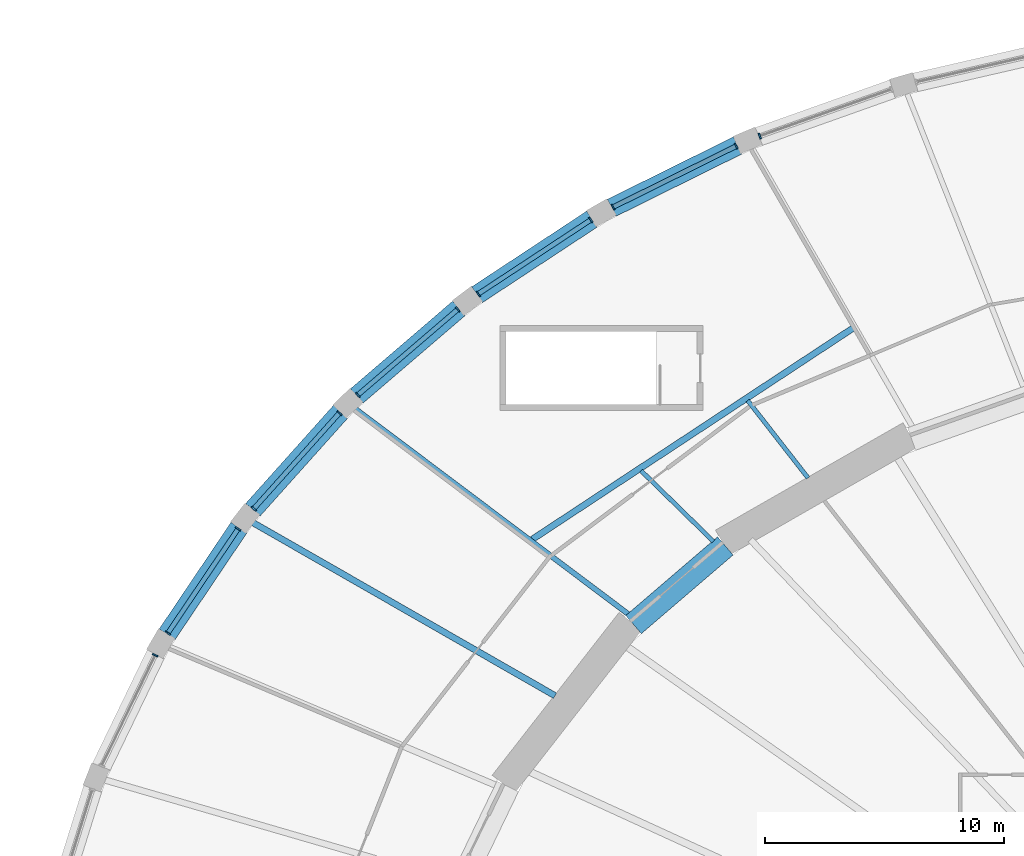
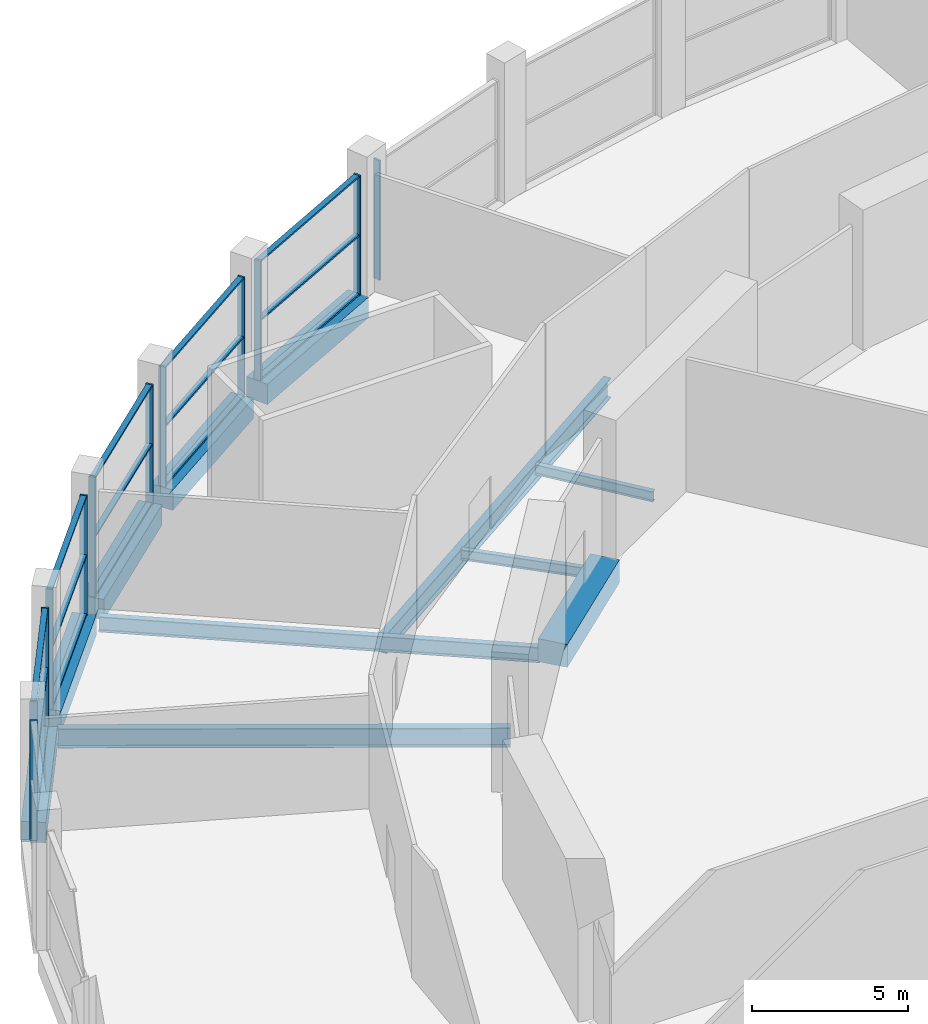
# One storey, part 12 of 26: 27 members, 11 beams, 7 elements without a shape of their own.
"""IFC4 building model written with IfcOpenShell, lengths in metres."""

from ifc_helpers import new_model, si_unit, direction, frame, origin, origin_2d, place, context, subcontext, project, spatial, rectangle, i_section, extrude, material, material_profile, profile_set, type_object, element, aggregate, save


model = new_model("IFC4")

# Units and contexts
model_context = context("Model", 3, precision=1e-05, world=origin(), true_north=direction((0.0, 1.0)))
body_context = subcontext(model_context, "Body", "Model", "MODEL_VIEW")
ifc_project = project(units=[si_unit("LENGTHUNIT", "METRE"), si_unit("AREAUNIT", "SQUARE_METRE"), si_unit("VOLUMEUNIT", "CUBIC_METRE"), si_unit("PLANEANGLEUNIT", "RADIAN"), si_unit("MASSUNIT", "GRAM", prefix="KILO")], contexts=[model_context])

# Site, building, storey
site_placement = place(None, origin())
site = spatial("IfcSite", under=ifc_project, at=site_placement, CompositionType="ELEMENT")
building_placement = place(site_placement, origin())
building = spatial("IfcBuilding", under=site, at=building_placement, Name="Halqa Exchange Tower", CompositionType="ELEMENT")
storey_placement = place(building_placement, frame((0.0, 0.0, 18.0)))
storey = spatial("IfcBuildingStorey", under=building, at=storey_placement, Name="L03", CompositionType="ELEMENT", Elevation=18.0)

# Curtain wall, member
ifc_material_1 = material(Name="Anodised aluminium and clear glass", Category="aluminium")
curtain_wall_type = type_object("IfcCurtainWallType", Name="Exchange hall glazing", PredefinedType="NOTDEFINED", material=ifc_material_1)
curtain_wall_1_placement = place(storey_placement, origin())
curtain_wall_1 = element("IfcCurtainWall", 1, at=curtain_wall_1_placement, inside=storey, type_object=curtain_wall_type, Name="Exchange hall glazing run P15", PredefinedType="NOTDEFINED")
ifc_material_2 = material(Name="Anodised aluminium", Category="aluminium")
ifc_material_profile_1 = material_profile(ifc_material_2, rectangle(XDim=0.25, YDim=0.070068359375, at=origin_2d()), Name="AL 70x250")
ifc_profile_set_1 = profile_set([ifc_material_profile_1], Name="Anodised aluminium")
member_type_1 = type_object("IfcMemberType", Name="Exchange hall glazing mullion 70 x 250", PredefinedType="MULLION", material=ifc_profile_set_1)
member_1_placement = place(storey_placement, frame((-23.37939453125, 41.7041015625, 0.0), z_axis=(0.0, 0.0, 1.0), x_axis=(0.334688348326, -0.942328875444, 0.0)))
member_1 = element("IfcMember", 2, at=member_1_placement, type_object=member_type_1, Name="P15 mullion 2", PredefinedType="MULLION", context=body_context, shape_type="SweptSolid", body=[
    extrude(rectangle(XDim=0.25, YDim=0.070068359375, at=origin_2d()), origin(), (0.0, 0.0, 1.0), 4.699951171875),
])
aggregate(curtain_wall_1, [member_1])

# Curtain wall, members
curtain_wall_2_placement = place(storey_placement, origin())
curtain_wall_2 = element("IfcCurtainWall", 3, at=curtain_wall_2_placement, inside=storey, type_object=curtain_wall_type, Name="Exchange hall glazing run P16", PredefinedType="NOTDEFINED")
member_2_placement = place(storey_placement, frame((-24.363037109375, 41.287841796875, 0.0), z_axis=(0.0, 0.0, 1.0), x_axis=(0.443653417058, -0.896198440934, 0.0)))
member_2 = element("IfcMember", 4, at=member_2_placement, type_object=member_type_1, Name="P16 mullion 1", PredefinedType="MULLION", context=body_context, shape_type="SweptSolid", body=[
    extrude(rectangle(XDim=0.25, YDim=0.070068359375, at=origin_2d()), origin(), (0.0, 0.0, 1.0), 4.699951171875),
])
member_3_placement = place(storey_placement, frame((-29.521240234375, 38.734375, 0.0), z_axis=(0.0, 0.0, 1.0), x_axis=(0.443653417058, -0.896198440934, 0.0)))
member_3 = element("IfcMember", 5, at=member_3_placement, type_object=member_type_1, Name="P16 mullion 2", PredefinedType="MULLION", context=body_context, shape_type="SweptSolid", body=[
    extrude(rectangle(XDim=0.25, YDim=0.070068359375, at=origin_2d()), origin(), (0.0, 0.0, 1.0), 4.699951171875),
])

curtain_wall_3_placement = place(storey_placement, origin())
curtain_wall_3 = element("IfcCurtainWall", 6, at=curtain_wall_3_placement, inside=storey, type_object=curtain_wall_type, Name="Exchange hall glazing run P17", PredefinedType="NOTDEFINED")
member_4_placement = place(storey_placement, frame((-30.44775390625, 38.202880859375, 0.0), z_axis=(0.0, 0.0, 1.0), x_axis=(0.549620040919, -0.835414753652, 0.0)))
member_4 = element("IfcMember", 7, at=member_4_placement, type_object=member_type_1, Name="P17 mullion 1", PredefinedType="MULLION", context=body_context, shape_type="SweptSolid", body=[
    extrude(rectangle(XDim=0.25, YDim=0.070068359375, at=origin_2d()), origin(), (0.0, 0.0, 1.0), 4.699951171875),
])
member_5_placement = place(storey_placement, frame((-35.15771484375, 35.104248046875, 0.0), z_axis=(0.0, 0.0, 1.0), x_axis=(0.549620040919, -0.835414753652, 0.0)))
member_5 = element("IfcMember", 8, at=member_5_placement, type_object=member_type_1, Name="P17 mullion 2", PredefinedType="MULLION", context=body_context, shape_type="SweptSolid", body=[
    extrude(rectangle(XDim=0.25, YDim=0.070068359375, at=origin_2d()), origin(), (0.0, 0.0, 1.0), 4.699951171875),
])

curtain_wall_4_placement = place(storey_placement, origin())
curtain_wall_4 = element("IfcCurtainWall", 9, at=curtain_wall_4_placement, inside=storey, type_object=curtain_wall_type, Name="Exchange hall glazing run P18", PredefinedType="NOTDEFINED")
member_6_placement = place(storey_placement, frame((-36.010986328125, 34.4619140625, 0.0), z_axis=(0.0, 0.0, 1.0), x_axis=(0.650910929175, -0.759154109704, 0.0)))
member_6 = element("IfcMember", 10, at=member_6_placement, type_object=member_type_1, Name="P18 mullion 1", PredefinedType="MULLION", context=body_context, shape_type="SweptSolid", body=[
    extrude(rectangle(XDim=0.25, YDim=0.070068359375, at=origin_2d()), origin(), (0.0, 0.0, 1.0), 4.699951171875),
])
member_7_placement = place(storey_placement, frame((-40.193115234375, 30.8759765625, 0.0), z_axis=(0.0, 0.0, 1.0), x_axis=(0.650910929175, -0.759154109704, 0.0)))
member_7 = element("IfcMember", 11, at=member_7_placement, type_object=member_type_1, Name="P18 mullion 2", PredefinedType="MULLION", context=body_context, shape_type="SweptSolid", body=[
    extrude(rectangle(XDim=0.25, YDim=0.070068359375, at=origin_2d()), origin(), (0.0, 0.0, 1.0), 4.699951171875),
])

curtain_wall_5_placement = place(storey_placement, origin())
curtain_wall_5 = element("IfcCurtainWall", 12, at=curtain_wall_5_placement, inside=storey, type_object=curtain_wall_type, Name="Exchange hall glazing run P19", PredefinedType="NOTDEFINED")
member_8_placement = place(storey_placement, frame((-40.9560546875, 30.12890625, 0.0), z_axis=(0.0, 0.0, 1.0), x_axis=(0.74514769466, -0.666899477539, 0.0)))
member_8 = element("IfcMember", 13, at=member_8_placement, type_object=member_type_1, Name="P19 mullion 1", PredefinedType="MULLION", context=body_context, shape_type="SweptSolid", body=[
    extrude(rectangle(XDim=0.25, YDim=0.070068359375, at=origin_2d()), origin(), (0.0, 0.0, 1.0), 4.699951171875),
])
member_9_placement = place(storey_placement, frame((-44.542724609375, 26.12158203125, 0.0), z_axis=(0.0, 0.0, 1.0), x_axis=(0.74514769466, -0.666899477539, 0.0)))
member_9 = element("IfcMember", 14, at=member_9_placement, type_object=member_type_1, Name="P19 mullion 2", PredefinedType="MULLION", context=body_context, shape_type="SweptSolid", body=[
    extrude(rectangle(XDim=0.25, YDim=0.070068359375, at=origin_2d()), origin(), (0.0, 0.0, 1.0), 4.699951171875),
])

curtain_wall_6_placement = place(storey_placement, origin())
curtain_wall_6 = element("IfcCurtainWall", 15, at=curtain_wall_6_placement, inside=storey, type_object=curtain_wall_type, Name="Exchange hall glazing run P20", PredefinedType="NOTDEFINED")
member_10_placement = place(storey_placement, frame((-45.1982421875, 25.279052734375, 0.0), z_axis=(0.0, 0.0, 1.0), x_axis=(0.8294895023, -0.55852230535, 0.0)))
member_10 = element("IfcMember", 16, at=member_10_placement, type_object=member_type_1, Name="P20 mullion 1", PredefinedType="MULLION", context=body_context, shape_type="SweptSolid", body=[
    extrude(rectangle(XDim=0.25, YDim=0.070068359375, at=origin_2d()), origin(), (0.0, 0.0, 1.0), 4.699951171875),
])
member_11_placement = place(storey_placement, frame((-48.13232421875, 20.921630859375, 0.0), z_axis=(0.0, 0.0, 1.0), x_axis=(0.8294895023, -0.55852230535, 0.0)))
member_11 = element("IfcMember", 17, at=member_11_placement, type_object=member_type_1, Name="P20 mullion 2", PredefinedType="MULLION", context=body_context, shape_type="SweptSolid", body=[
    extrude(rectangle(XDim=0.25, YDim=0.070068359375, at=origin_2d()), origin(), (0.0, 0.0, 1.0), 4.699951171875),
])

# Curtain wall, member
curtain_wall_7_placement = place(storey_placement, origin())
curtain_wall_7 = element("IfcCurtainWall", 18, at=curtain_wall_7_placement, inside=storey, type_object=curtain_wall_type, Name="Exchange hall glazing run P21", PredefinedType="NOTDEFINED")
member_12_placement = place(storey_placement, frame((-48.663818359375, 19.996337890625, 0.0), z_axis=(0.0, 0.0, 1.0), x_axis=(0.90043534892, -0.434989864727, 0.0)))
member_12 = element("IfcMember", 19, at=member_12_placement, type_object=member_type_1, Name="P21 mullion 1", PredefinedType="MULLION", context=body_context, shape_type="SweptSolid", body=[
    extrude(rectangle(XDim=0.25, YDim=0.070068359375, at=origin_2d()), origin(), (0.0, 0.0, 1.0), 4.699951171875),
])
aggregate(curtain_wall_7, [member_12])

# Member
ifc_material_profile_2 = material_profile(ifc_material_2, rectangle(XDim=0.199951171875, YDim=0.070068359375, at=origin_2d()), Name="AL 70x200")
ifc_profile_set_2 = profile_set([ifc_material_profile_2], Name="Anodised aluminium")
member_type_2 = type_object("IfcMemberType", Name="Exchange hall glazing transom 70 x 200", PredefinedType="USERDEFINED", material=ifc_profile_set_2)
member_13_placement = place(storey_placement, frame((-24.39453125, 41.2724609375, 0.034912109375), z_axis=(-0.89618076134, -0.443689128788, 0.0), x_axis=(0.443689128788, -0.89618076134, 0.0)))
member_13 = element("IfcMember", 20, at=member_13_placement, type_object=member_type_2, Name="P16 transom 1.1", ObjectType="TRANSOM", PredefinedType="USERDEFINED", context=body_context, shape_type="SweptSolid", body=[
    extrude(rectangle(XDim=0.199951171875, YDim=0.070068359375, at=origin_2d()), origin(), (0.0, 0.0, 1.0), 5.685791015625),
])

member_14_placement = place(storey_placement, frame((-24.39453125, 41.2724609375, 2.35009765625), z_axis=(-0.89618076134, -0.443689128788, 0.0), x_axis=(0.443689128788, -0.89618076134, 0.0)))
member_14 = element("IfcMember", 21, at=member_14_placement, type_object=member_type_2, Name="P16 transom 1.2", ObjectType="TRANSOM", PredefinedType="USERDEFINED", context=body_context, shape_type="SweptSolid", body=[
    extrude(rectangle(XDim=0.199951171875, YDim=0.070068359375, at=origin_2d()), origin(), (0.0, 0.0, 1.0), 5.685791015625),
])

member_15_placement = place(storey_placement, frame((-24.39453125, 41.2724609375, 4.6650390625), z_axis=(-0.89618076134, -0.443689128788, 0.0), x_axis=(0.443689128788, -0.89618076134, 0.0)))
member_15 = element("IfcMember", 22, at=member_15_placement, type_object=member_type_2, Name="P16 transom 1.3", ObjectType="TRANSOM", PredefinedType="USERDEFINED", context=body_context, shape_type="SweptSolid", body=[
    extrude(rectangle(XDim=0.199951171875, YDim=0.070068359375, at=origin_2d()), origin(), (0.0, 0.0, 1.0), 5.685791015625),
])

aggregate(curtain_wall_2, [member_2, member_3, member_13, member_14, member_15])

member_16_placement = place(storey_placement, frame((-30.47705078125, 38.183837890625, 0.034912109375), z_axis=(-0.835401187087, -0.549640661355, 0.0), x_axis=(0.549640661355, -0.835401187087, 0.0)))
member_16 = element("IfcMember", 23, at=member_16_placement, type_object=member_type_2, Name="P17 transom 1.1", ObjectType="TRANSOM", PredefinedType="USERDEFINED", context=body_context, shape_type="SweptSolid", body=[
    extrude(rectangle(XDim=0.199951171875, YDim=0.070068359375, at=origin_2d()), origin(), (0.0, 0.0, 1.0), 5.56787109375),
])

member_17_placement = place(storey_placement, frame((-30.47705078125, 38.183837890625, 2.35009765625), z_axis=(-0.835401187087, -0.549640661355, 0.0), x_axis=(0.549640661355, -0.835401187087, 0.0)))
member_17 = element("IfcMember", 24, at=member_17_placement, type_object=member_type_2, Name="P17 transom 1.2", ObjectType="TRANSOM", PredefinedType="USERDEFINED", context=body_context, shape_type="SweptSolid", body=[
    extrude(rectangle(XDim=0.199951171875, YDim=0.070068359375, at=origin_2d()), origin(), (0.0, 0.0, 1.0), 5.56787109375),
])

member_18_placement = place(storey_placement, frame((-30.47705078125, 38.183837890625, 4.6650390625), z_axis=(-0.835401187087, -0.549640661355, 0.0), x_axis=(0.549640661355, -0.835401187087, 0.0)))
member_18 = element("IfcMember", 25, at=member_18_placement, type_object=member_type_2, Name="P17 transom 1.3", ObjectType="TRANSOM", PredefinedType="USERDEFINED", context=body_context, shape_type="SweptSolid", body=[
    extrude(rectangle(XDim=0.199951171875, YDim=0.070068359375, at=origin_2d()), origin(), (0.0, 0.0, 1.0), 5.56787109375),
])

aggregate(curtain_wall_3, [member_4, member_5, member_16, member_17, member_18])

member_19_placement = place(storey_placement, frame((-36.037353515625, 34.439208984375, 0.034912109375), z_axis=(-0.759142529619, -0.650924434727, 0.0), x_axis=(0.650924434727, -0.759142529619, 0.0)))
member_19 = element("IfcMember", 26, at=member_19_placement, type_object=member_type_2, Name="P18 transom 1.1", ObjectType="TRANSOM", PredefinedType="USERDEFINED", context=body_context, shape_type="SweptSolid", body=[
    extrude(rectangle(XDim=0.199951171875, YDim=0.070068359375, at=origin_2d()), origin(), (0.0, 0.0, 1.0), 5.439208984375),
])

member_20_placement = place(storey_placement, frame((-36.037353515625, 34.439208984375, 2.35009765625), z_axis=(-0.759142529619, -0.650924434727, 0.0), x_axis=(0.650924434727, -0.759142529619, 0.0)))
member_20 = element("IfcMember", 27, at=member_20_placement, type_object=member_type_2, Name="P18 transom 1.2", ObjectType="TRANSOM", PredefinedType="USERDEFINED", context=body_context, shape_type="SweptSolid", body=[
    extrude(rectangle(XDim=0.199951171875, YDim=0.070068359375, at=origin_2d()), origin(), (0.0, 0.0, 1.0), 5.439208984375),
])

member_21_placement = place(storey_placement, frame((-36.037353515625, 34.439208984375, 4.6650390625), z_axis=(-0.759142529619, -0.650924434727, 0.0), x_axis=(0.650924434727, -0.759142529619, 0.0)))
member_21 = element("IfcMember", 28, at=member_21_placement, type_object=member_type_2, Name="P18 transom 1.3", ObjectType="TRANSOM", PredefinedType="USERDEFINED", context=body_context, shape_type="SweptSolid", body=[
    extrude(rectangle(XDim=0.199951171875, YDim=0.070068359375, at=origin_2d()), origin(), (0.0, 0.0, 1.0), 5.439208984375),
])

aggregate(curtain_wall_4, [member_6, member_7, member_19, member_20, member_21])

member_22_placement = place(storey_placement, frame((-40.9794921875, 30.10302734375, 0.034912109375), z_axis=(-0.666880900978, -0.745164320074, 0.0), x_axis=(0.745164320074, -0.666880900978, 0.0)))
member_22 = element("IfcMember", 29, at=member_22_placement, type_object=member_type_2, Name="P19 transom 1.1", ObjectType="TRANSOM", PredefinedType="USERDEFINED", context=body_context, shape_type="SweptSolid", body=[
    extrude(rectangle(XDim=0.199951171875, YDim=0.070068359375, at=origin_2d()), origin(), (0.0, 0.0, 1.0), 5.30810546875),
])

member_23_placement = place(storey_placement, frame((-40.9794921875, 30.10302734375, 2.35009765625), z_axis=(-0.666880900978, -0.745164320074, 0.0), x_axis=(0.745164320074, -0.666880900978, 0.0)))
member_23 = element("IfcMember", 30, at=member_23_placement, type_object=member_type_2, Name="P19 transom 1.2", ObjectType="TRANSOM", PredefinedType="USERDEFINED", context=body_context, shape_type="SweptSolid", body=[
    extrude(rectangle(XDim=0.199951171875, YDim=0.070068359375, at=origin_2d()), origin(), (0.0, 0.0, 1.0), 5.30810546875),
])

member_24_placement = place(storey_placement, frame((-40.9794921875, 30.10302734375, 4.6650390625), z_axis=(-0.666880900978, -0.745164320074, 0.0), x_axis=(0.745164320074, -0.666880900978, 0.0)))
member_24 = element("IfcMember", 31, at=member_24_placement, type_object=member_type_2, Name="P19 transom 1.3", ObjectType="TRANSOM", PredefinedType="USERDEFINED", context=body_context, shape_type="SweptSolid", body=[
    extrude(rectangle(XDim=0.199951171875, YDim=0.070068359375, at=origin_2d()), origin(), (0.0, 0.0, 1.0), 5.30810546875),
])

aggregate(curtain_wall_5, [member_8, member_9, member_22, member_23, member_24])

member_25_placement = place(storey_placement, frame((-45.2177734375, 25.250244140625, 0.034912109375), z_axis=(-0.558520359636, -0.82949081241, 0.0), x_axis=(0.82949081241, -0.558520359636, 0.0)))
member_25 = element("IfcMember", 32, at=member_25_placement, type_object=member_type_2, Name="P20 transom 1.1", ObjectType="TRANSOM", PredefinedType="USERDEFINED", context=body_context, shape_type="SweptSolid", body=[
    extrude(rectangle(XDim=0.199951171875, YDim=0.070068359375, at=origin_2d()), origin(), (0.0, 0.0, 1.0), 5.183349609375),
])

member_26_placement = place(storey_placement, frame((-45.2177734375, 25.250244140625, 2.35009765625), z_axis=(-0.558520359636, -0.82949081241, 0.0), x_axis=(0.82949081241, -0.558520359636, 0.0)))
member_26 = element("IfcMember", 33, at=member_26_placement, type_object=member_type_2, Name="P20 transom 1.2", ObjectType="TRANSOM", PredefinedType="USERDEFINED", context=body_context, shape_type="SweptSolid", body=[
    extrude(rectangle(XDim=0.199951171875, YDim=0.070068359375, at=origin_2d()), origin(), (0.0, 0.0, 1.0), 5.183349609375),
])

member_27_placement = place(storey_placement, frame((-45.2177734375, 25.250244140625, 4.6650390625), z_axis=(-0.558520359636, -0.82949081241, 0.0), x_axis=(0.82949081241, -0.558520359636, 0.0)))
member_27 = element("IfcMember", 34, at=member_27_placement, type_object=member_type_2, Name="P20 transom 1.3", ObjectType="TRANSOM", PredefinedType="USERDEFINED", context=body_context, shape_type="SweptSolid", body=[
    extrude(rectangle(XDim=0.199951171875, YDim=0.070068359375, at=origin_2d()), origin(), (0.0, 0.0, 1.0), 5.183349609375),
])

aggregate(curtain_wall_6, [member_10, member_11, member_25, member_26, member_27])

# Beams
ifc_material_3 = material(Name="Steel S355", Category="steel")
ifc_material_profile_3 = material_profile(ifc_material_3, i_section(OverallWidth=0.179931640625, OverallDepth=0.39990234375, WebThickness=0.008544921875, FlangeThickness=0.013427734375, FilletRadius=0.02099609375, at=origin_2d()), Name="IPE 400")
ifc_profile_set_3 = profile_set([ifc_material_profile_3], Name="Steel S355")
beam_type_1 = type_object("IfcBeamType", Name="Floor beam IPE 400", PredefinedType="BEAM", material=ifc_profile_set_3)
beam_1_placement = place(storey_placement, frame((-21.3603515625, 27.40966796875, -0.550048828125), z_axis=(-0.614706293657, 0.788756091919, 0.0), x_axis=(-0.788756091919, -0.614706293657, 0.0)))
element("IfcBeam", 35, at=beam_1_placement, inside=storey, type_object=beam_type_1, Name="Radial beam 17a", PredefinedType="BEAM", context=body_context, shape_type="SweptSolid", body=[
    extrude(i_section(OverallWidth=0.179931640625, OverallDepth=0.39990234375, WebThickness=0.008544921875, FlangeThickness=0.013427734375, FilletRadius=0.02099609375, at=origin_2d()), origin(), (0.0, 0.0, 1.0), 4.104248046875),
])
beam_2_placement = place(storey_placement, frame((-25.322265625, 24.757080078125, -0.550048828125), z_axis=(-0.715007310884, 0.699116975464, 0.0), x_axis=(-0.699116975464, -0.715007310884, 0.0)))
element("IfcBeam", 36, at=beam_2_placement, inside=storey, type_object=beam_type_1, Name="Radial beam 18a", PredefinedType="BEAM", context=body_context, shape_type="SweptSolid", body=[
    extrude(i_section(OverallWidth=0.179931640625, OverallDepth=0.39990234375, WebThickness=0.008544921875, FlangeThickness=0.013427734375, FilletRadius=0.02099609375, at=origin_2d()), origin(), (0.0, 0.0, 1.0), 4.22509765625),
])
ifc_material_profile_4 = material_profile(ifc_material_3, i_section(OverallWidth=0.219970703125, OverallDepth=0.60009765625, WebThickness=0.011962890625, FlangeThickness=0.01904296875, FilletRadius=0.02392578125, at=origin_2d()), Name="IPE 600")
ifc_profile_set_4 = profile_set([ifc_material_profile_4], Name="Steel S355")
beam_type_2 = type_object("IfcBeamType", Name="Floor beam IPE 600", PredefinedType="BEAM", material=ifc_profile_set_4)
beam_3_placement = place(storey_placement, frame((-28.875732421875, 21.71240234375, -0.64990234375), z_axis=(-0.799257291391, 0.600989003359, 0.0), x_axis=(-0.600989003359, -0.799257291391, 0.0)))
element("IfcBeam", 37, at=beam_3_placement, inside=storey, type_object=beam_type_2, Name="Radial beam 19", PredefinedType="BEAM", context=body_context, shape_type="SweptSolid", body=[
    extrude(i_section(OverallWidth=0.219970703125, OverallDepth=0.60009765625, WebThickness=0.011962890625, FlangeThickness=0.01904296875, FilletRadius=0.02392578125, at=origin_2d()), origin(), (0.0, 0.0, 1.0), 14.291259765625),
])
ifc_material_profile_5 = material_profile(ifc_material_3, i_section(OverallWidth=0.264892578125, OverallDepth=0.7529296875, WebThickness=0.01318359375, FlangeThickness=0.01708984375, FilletRadius=0.01708984375, at=origin_2d()), Name="IPE 750x147")
ifc_profile_set_5 = profile_set([ifc_material_profile_5], Name="Steel S355")
beam_type_3 = type_object("IfcBeamType", Name="Floor beam IPE 750x147", PredefinedType="BEAM", material=ifc_profile_set_5)
beam_4_placement = place(storey_placement, frame((-31.942626953125, 18.300048828125, -0.7265625), z_axis=(-0.867691436398, 0.497103179633, 0.0), x_axis=(-0.497103179633, -0.867691436398, 0.0)))
element("IfcBeam", 38, at=beam_4_placement, inside=storey, type_object=beam_type_3, Name="Radial beam 20", PredefinedType="BEAM", context=body_context, shape_type="SweptSolid", body=[
    extrude(i_section(OverallWidth=0.264892578125, OverallDepth=0.7529296875, WebThickness=0.01318359375, FlangeThickness=0.01708984375, FilletRadius=0.01708984375, at=origin_2d()), origin(), (0.0, 0.0, 1.0), 14.555908203125),
])
ifc_material_profile_6 = material_profile(ifc_material_3, i_section(OverallWidth=0.26806640625, OverallDepth=0.77001953125, WebThickness=0.015625, FlangeThickness=0.025390625, FilletRadius=0.01708984375, at=origin_2d()), Name="IPE 750x196")
ifc_profile_set_6 = profile_set([ifc_material_profile_6], Name="Steel S355")
beam_type_4 = type_object("IfcBeamType", Name="Floor beam IPE 750x196", PredefinedType="BEAM", material=ifc_profile_set_6)
beam_5_placement = place(storey_placement, frame((-19.467041015625, 33.682373046875, -0.735107421875), z_axis=(-0.835204203593, -0.54993994063, 0.0), x_axis=(0.54993994063, -0.835204203593, 0.0)))
element("IfcBeam", 39, at=beam_5_placement, inside=storey, type_object=beam_type_4, Name="Radial beam TPS3-in", PredefinedType="BEAM", context=body_context, shape_type="SweptSolid", body=[
    extrude(i_section(OverallWidth=0.26806640625, OverallDepth=0.77001953125, WebThickness=0.015625, FlangeThickness=0.025390625, FilletRadius=0.01708984375, at=origin_2d()), origin(), (0.0, 0.0, 1.0), 16.07958984375),
])
ifc_material_4 = material(Name="Concrete C60/75", Category="concrete")
ifc_material_profile_7 = material_profile(ifc_material_4, rectangle(XDim=0.800048828125, YDim=0.800048828125, at=origin_2d()), Name="800 x 800")
ifc_profile_set_7 = profile_set([ifc_material_profile_7], Name="Concrete C60/75")
beam_type_5 = type_object("IfcBeamType", Name="RC podium edge beam 800 x 800 C60/75", PredefinedType="SPANDREL", material=ifc_profile_set_7)
beam_6_placement = place(storey_placement, frame((-24.30712890625, 41.3154296875, -0.39990234375), z_axis=(-0.896205416004, -0.443639326847, 0.0), x_axis=(0.443639326847, -0.896205416004, 0.0)))
element("IfcBeam", 40, at=beam_6_placement, inside=storey, type_object=beam_type_5, Name="Podium edge beam 16", PredefinedType="SPANDREL", context=body_context, shape_type="SweptSolid", body=[
    extrude(rectangle(XDim=0.800048828125, YDim=0.800048828125, at=origin_2d()), origin(), (0.0, 0.0, 1.0), 5.880126953125),
])
beam_7_placement = place(storey_placement, frame((-30.396240234375, 38.23681640625, -0.39990234375), z_axis=(-0.835418618456, -0.549614166426, 0.0), x_axis=(0.549614166426, -0.835418618456, 0.0)))
element("IfcBeam", 41, at=beam_7_placement, inside=storey, type_object=beam_type_5, Name="Podium edge beam 17", PredefinedType="SPANDREL", context=body_context, shape_type="SweptSolid", body=[
    extrude(rectangle(XDim=0.800048828125, YDim=0.800048828125, at=origin_2d()), origin(), (0.0, 0.0, 1.0), 5.760986328125),
])
beam_8_placement = place(storey_placement, frame((-35.963134765625, 34.502685546875, -0.39990234375), z_axis=(-0.759174010844, -0.650887717859, 0.0), x_axis=(0.650887717859, -0.759174010844, 0.0)))
element("IfcBeam", 42, at=beam_8_placement, inside=storey, type_object=beam_type_5, Name="Podium edge beam 18", PredefinedType="SPANDREL", context=body_context, shape_type="SweptSolid", body=[
    extrude(rectangle(XDim=0.800048828125, YDim=0.800048828125, at=origin_2d()), origin(), (0.0, 0.0, 1.0), 5.63427734375),
])
beam_9_placement = place(storey_placement, frame((-40.914794921875, 30.175048828125, -0.39990234375), z_axis=(-0.666902525907, -0.745144966392, 0.0), x_axis=(0.745144966392, -0.666902525907, 0.0)))
element("IfcBeam", 43, at=beam_9_placement, inside=storey, type_object=beam_type_5, Name="Podium edge beam 19", PredefinedType="SPANDREL", context=body_context, shape_type="SweptSolid", body=[
    extrude(rectangle(XDim=0.800048828125, YDim=0.800048828125, at=origin_2d()), origin(), (0.0, 0.0, 1.0), 5.501220703125),
])
beam_10_placement = place(storey_placement, frame((-45.1630859375, 25.331298828125, -0.39990234375), z_axis=(-0.558528358221, -0.829485426673, 0.0), x_axis=(0.829485426673, -0.558528358221, 0.0)))
element("IfcBeam", 44, at=beam_10_placement, inside=storey, type_object=beam_type_5, Name="Podium edge beam 20", PredefinedType="SPANDREL", context=body_context, shape_type="SweptSolid", body=[
    extrude(rectangle(XDim=0.800048828125, YDim=0.800048828125, at=origin_2d()), origin(), (0.0, 0.0, 1.0), 5.378173828125),
])
ifc_material_profile_8 = material_profile(ifc_material_4, rectangle(XDim=1.0, YDim=0.89990234375, at=origin_2d()), Name="1000 x 900")
ifc_profile_set_8 = profile_set([ifc_material_profile_8], Name="Concrete C60/75")
beam_type_6 = type_object("IfcBeamType", Name="RC spandrel beam 1000 x 900 C60/75", PredefinedType="SPANDREL", material=ifc_profile_set_8)
beam_11_placement = place(storey_placement, frame((-24.81982421875, 24.56689453125, -0.449951171875), z_axis=(-0.759263417999, -0.650783421799, 0.0), x_axis=(0.650783421799, -0.759263417999, 0.0)))
element("IfcBeam", 45, at=beam_11_placement, inside=storey, type_object=beam_type_6, Name="Spandrel 12", PredefinedType="SPANDREL", context=body_context, shape_type="SweptSolid", body=[
    extrude(rectangle(XDim=1.0, YDim=0.89990234375, at=origin_2d()), origin(), (0.0, 0.0, 1.0), 5.056884765625),
])

save(model, "model.ifc")
